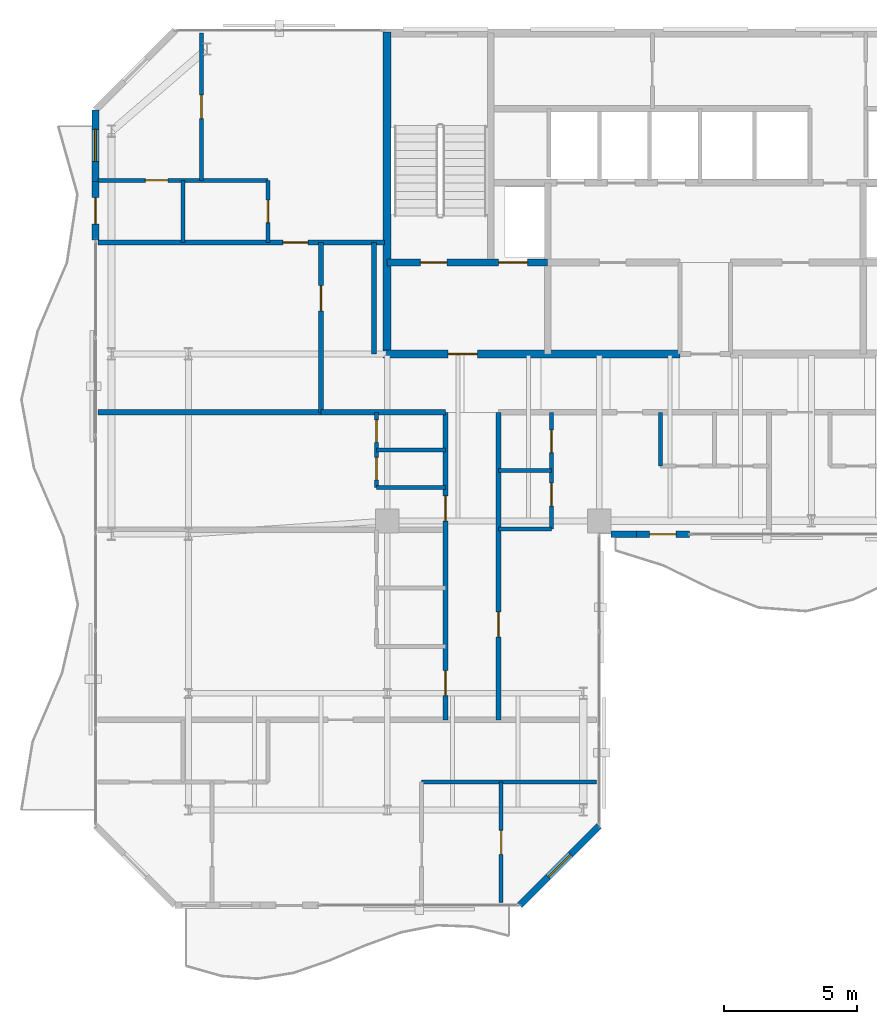
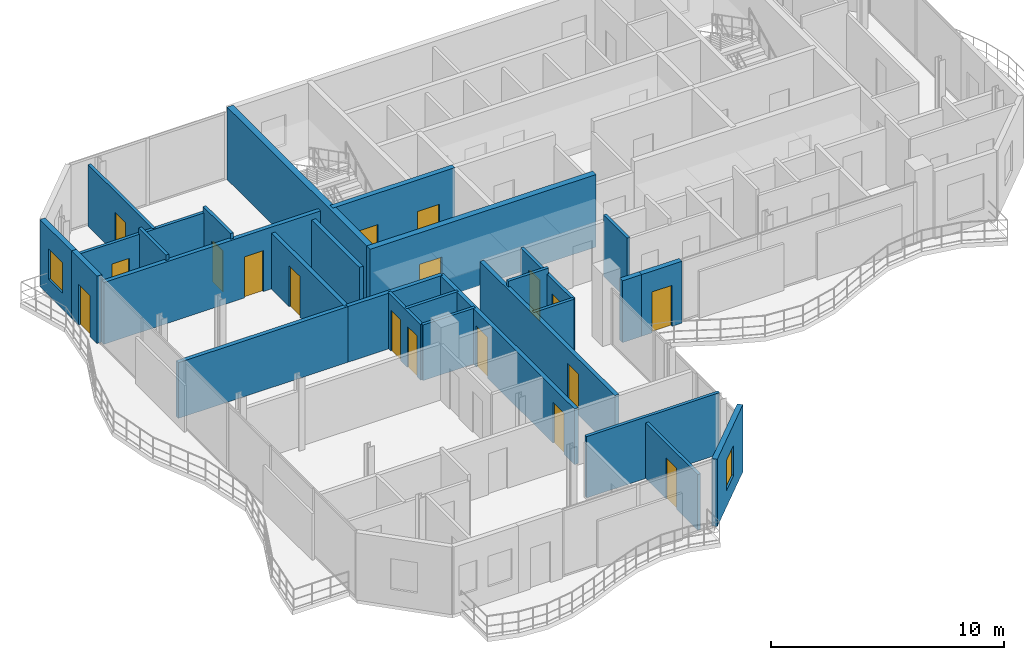
# One storey, part 18 of 22: 28 walls, 18 doors, 2 windows, 20 openings.
"""IFC4 building model written with IfcOpenShell, lengths in metres."""

from ifc_helpers import new_model, si_unit, direction, frame, frame_2d, origin, place, context, subcontext, project, spatial, rectangle, extrude, material, layer, layer_set, type_object, element, fill, save


model = new_model("IFC4")

# Units and contexts
model_context = context("Model", 3, precision=1e-05, world=origin(), true_north=direction((0.0, 1.0)))
body_context = subcontext(model_context, "Body", "Model", "MODEL_VIEW")
ifc_project = project(units=[si_unit("LENGTHUNIT", "METRE"), si_unit("AREAUNIT", "SQUARE_METRE"), si_unit("VOLUMEUNIT", "CUBIC_METRE"), si_unit("PLANEANGLEUNIT", "RADIAN"), si_unit("MASSUNIT", "GRAM", prefix="KILO")], contexts=[model_context])

# Site, building, storey
site_placement = place(None, origin())
site = spatial("IfcSite", under=ifc_project, at=site_placement, CompositionType="ELEMENT")
building_placement = place(site_placement, origin())
building = spatial("IfcBuilding", under=site, at=building_placement, Name="Catumbela Crestline Tower", CompositionType="ELEMENT")
storey_placement = place(building_placement, frame((0.0, 0.0, 229.8)))
storey = spatial("IfcBuildingStorey", under=building, at=storey_placement, Name="L59", CompositionType="ELEMENT", Elevation=229.8)

# Wall, openings, doors
ifc_material_1 = material(Name="Concrete C50/60", Category="concrete")
ifc_layer_1 = layer(ifc_material_1, 0.25, Name="Concrete C50/60")
ifc_layer_set_1 = layer_set([ifc_layer_1], Name="Concrete C50/60")
wall_type_1 = type_object("IfcWallType", Name="CW-250D", PredefinedType="SHEAR", material=ifc_layer_set_1)
wall_1_placement = place(storey_placement, frame((16.0, 34.25, 0.0), z_axis=(0.0, 0.0, 1.0), x_axis=(1.0, 0.0, 0.0)))
wall_1 = element("IfcWall", 1, at=wall_1_placement, inside=storey, type_object=wall_type_1, Name="L59 Structural Core Shear Wall ST1S", PredefinedType="SHEAR", context=body_context, shape_type="SweptSolid", body=[
    extrude(rectangle(XDim=6.05, YDim=0.25, at=frame_2d((3.025, 0.0))), origin(), (0.0, 0.0, 1.0), 3.8),
])
opening_1_placement = place(wall_1_placement, frame((1.25, 0.0, 0.0)))
opening_1 = element("IfcOpeningElement", 2, at=opening_1_placement, cuts=wall_1, Name="Opening DF9-100", PredefinedType="OPENING", context=body_context, shape_type="SweptSolid", body=[
    extrude(rectangle(XDim=1.0, YDim=2.15, at=frame_2d((0.5, 1.075))), frame((0.0, 0.135, 0.0), z_axis=(0.0, -1.0, 0.0), x_axis=(1.0, 0.0, 0.0)), (0.0, 0.0, 1.0), 0.27),
])
opening_2_placement = place(wall_1_placement, frame((4.2, 0.0, 0.0)))
opening_2 = element("IfcOpeningElement", 3, at=opening_2_placement, cuts=wall_1, Name="Opening LD-110", PredefinedType="OPENING", context=body_context, shape_type="SweptSolid", body=[
    extrude(rectangle(XDim=1.1, YDim=2.15, at=frame_2d((0.55, 1.075))), frame((0.0, 0.135, 0.0), z_axis=(0.0, -1.0, 0.0), x_axis=(1.0, 0.0, 0.0)), (0.0, 0.0, 1.0), 0.27),
])
ifc_material_2 = material(Name="Stainless steel EN 1.4401", Category="steel")
door_type_1 = type_object("IfcDoorType", Name="DF9-100", OperationType="NOTDEFINED", PredefinedType="DOOR", material=ifc_material_2)
door_1_placement = place(opening_1_placement, origin())
door_1 = element("IfcDoor", 4, at=door_1_placement, inside=storey, type_object=door_type_1, Name="L59 Interior Door DR-L59-ST01", OperationType="SINGLE_SWING_LEFT", OverallHeight=2.15, OverallWidth=1.0, PredefinedType="DOOR", context=body_context, shape_type="SweptSolid", body=[
    extrude(rectangle(XDim=1.0, YDim=2.15, at=frame_2d((0.5, 1.075))), frame((0.0, 0.025, 0.0), z_axis=(0.0, -1.0, 0.0), x_axis=(1.0, 0.0, 0.0)), (0.0, 0.0, 1.0), 0.05),
])
fill(opening_1, door_1)
door_type_2 = type_object("IfcDoorType", Name="LD-110", OperationType="NOTDEFINED", PredefinedType="DOOR", material=ifc_material_2)
door_2_placement = place(opening_2_placement, origin())
door_2 = element("IfcDoor", 5, at=door_2_placement, inside=storey, type_object=door_type_2, Name="L59 Lift Landing Sliding Door FL-01", OperationType="DOUBLE_DOOR_SLIDING", OverallHeight=2.15, OverallWidth=1.1, PredefinedType="DOOR", context=body_context, shape_type="SweptSolid", body=[
    extrude(rectangle(XDim=1.1, YDim=2.15, at=frame_2d((0.55, 1.075))), frame((0.0, 0.025, 0.0), z_axis=(0.0, -1.0, 0.0), x_axis=(1.0, 0.0, 0.0)), (0.0, 0.0, 1.0), 0.05),
])
fill(opening_2, door_2)

# Wall
ifc_material_3 = material(Name="Concrete C45/55", Category="concrete")
ifc_layer_2 = layer(ifc_material_3, 0.3, Name="Concrete C45/55")
ifc_layer_set_2 = layer_set([ifc_layer_2], Name="Concrete C45/55")
wall_type_2 = type_object("IfcWallType", Name="CW-300C", PredefinedType="SHEAR", material=ifc_layer_set_2)
wall_2_placement = place(storey_placement, frame((16.0, 30.65, 0.0), z_axis=(0.0, 0.0, 1.0), x_axis=(0.0, 1.0, 0.0)))
element("IfcWall", 6, at=wall_2_placement, inside=storey, type_object=wall_type_2, Name="L59 Structural Core Shear Wall W", PredefinedType="SHEAR", context=body_context, shape_type="SweptSolid", body=[
    extrude(rectangle(XDim=12.3, YDim=0.3, at=frame_2d((6.15, 0.0))), origin(), (0.0, 0.0, 1.0), 3.8),
])

# Wall, opening, door
wall_3_placement = place(storey_placement, frame((15.85, 30.8, 0.0), z_axis=(0.0, 0.0, 1.0), x_axis=(1.0, 0.0, 0.0)))
wall_3 = element("IfcWall", 7, at=wall_3_placement, inside=storey, type_object=wall_type_2, Name="L59 Structural Core Shear Wall SW", PredefinedType="SHEAR", context=body_context, shape_type="SweptSolid", body=[
    extrude(rectangle(XDim=11.2, YDim=0.3, at=frame_2d((5.6, 0.0))), origin(), (0.0, 0.0, 1.0), 3.8),
])
opening_3_placement = place(wall_3_placement, frame((2.45, 0.0, 0.0)))
opening_3 = element("IfcOpeningElement", 8, at=opening_3_placement, cuts=wall_3, Name="Opening DF9-110", PredefinedType="OPENING", context=body_context, shape_type="SweptSolid", body=[
    extrude(rectangle(XDim=1.1, YDim=2.15, at=frame_2d((0.55, 1.075))), frame((0.0, 0.16, 0.0), z_axis=(0.0, -1.0, 0.0), x_axis=(1.0, 0.0, 0.0)), (0.0, 0.0, 1.0), 0.32),
])
door_type_3 = type_object("IfcDoorType", Name="DF9-110", OperationType="NOTDEFINED", PredefinedType="DOOR", material=ifc_material_2)
door_3_placement = place(opening_3_placement, origin())
door_3 = element("IfcDoor", 9, at=door_3_placement, inside=storey, type_object=door_type_3, Name="L59 Interior Door DR-L59-FFW-S", OperationType="SINGLE_SWING_LEFT", OverallHeight=2.15, OverallWidth=1.1, PredefinedType="DOOR", context=body_context, shape_type="SweptSolid", body=[
    extrude(rectangle(XDim=1.1, YDim=2.15, at=frame_2d((0.55, 1.075))), frame((0.0, 0.025, 0.0), z_axis=(0.0, -1.0, 0.0), x_axis=(1.0, 0.0, 0.0)), (0.0, 0.0, 1.0), 0.05),
])
fill(opening_3, door_3)

# Walls
ifc_material_4 = material(Name="Acoustic gypsum and mineral-wool partition")
ifc_layer_3 = layer(ifc_material_4, 0.2, Name="Acoustic gypsum and mineral-wool partition")
ifc_layer_set_3 = layer_set([ifc_layer_3], Name="Acoustic gypsum and mineral-wool partition")
wall_type_3 = type_object("IfcWallType", Name="WC-200", PredefinedType="PARTITIONING", material=ifc_layer_set_3)
wall_4_placement = place(storey_placement, frame((13.5, 28.6, 0.0), z_axis=(0.0, 0.0, 1.0), x_axis=(1.0, 0.0, 0.0)))
element("IfcWall", 10, at=wall_4_placement, inside=storey, type_object=wall_type_3, Name="L59 Interior Partition PW-L59-RCWL", PredefinedType="PARTITIONING", context=body_context, shape_type="SweptSolid", body=[
    extrude(rectangle(XDim=4.7, YDim=0.2, at=frame_2d((2.35, 0.0))), origin(), (0.0, 0.0, 1.0), 2.92),
])
wall_5_placement = place(storey_placement, frame((15.5, 30.8, 0.0), z_axis=(0.0, 0.0, 1.0), x_axis=(0.0, 1.0, 0.0)))
element("IfcWall", 11, at=wall_5_placement, inside=storey, type_object=wall_type_3, Name="L59 Interior Partition PW-L59-NWFYE", PredefinedType="PARTITIONING", context=body_context, shape_type="SweptSolid", body=[
    extrude(rectangle(XDim=4.2, YDim=0.2, at=frame_2d((2.1, 0.0))), origin(), (0.0, 0.0, 1.0), 2.92),
])

# Wall, opening, door
wall_6_placement = place(storey_placement, frame((13.5, 28.6, 0.0), z_axis=(0.0, 0.0, 1.0), x_axis=(0.0, 1.0, 0.0)))
wall_6 = element("IfcWall", 12, at=wall_6_placement, inside=storey, type_object=wall_type_3, Name="L59 Interior Partition PW-L59-NWAM-ENT", PredefinedType="PARTITIONING", context=body_context, shape_type="SweptSolid", body=[
    extrude(rectangle(XDim=6.4, YDim=0.2, at=frame_2d((3.2, 0.0))), origin(), (0.0, 0.0, 1.0), 2.92),
])
opening_4_placement = place(wall_6_placement, frame((3.825, 0.0, 0.0)))
opening_4 = element("IfcOpeningElement", 13, at=opening_4_placement, cuts=wall_6, Name="Opening DF6-095", PredefinedType="OPENING", context=body_context, shape_type="SweptSolid", body=[
    extrude(rectangle(XDim=0.95, YDim=2.15, at=frame_2d((0.475, 1.075))), frame((0.0, 0.11, 0.0), z_axis=(0.0, -1.0, 0.0), x_axis=(1.0, 0.0, 0.0)), (0.0, 0.0, 1.0), 0.22),
])
ifc_material_5 = material(Name="Aluminium alloy AW-6060-T66", Category="aluminium")
door_type_4 = type_object("IfcDoorType", Name="DF6-095", OperationType="NOTDEFINED", PredefinedType="DOOR", material=ifc_material_5)
door_4_placement = place(opening_4_placement, origin())
door_4 = element("IfcDoor", 14, at=door_4_placement, inside=storey, type_object=door_type_4, Name="L59 Interior Door DR-L59-NWAM-ENT", OperationType="SINGLE_SWING_RIGHT", OverallHeight=2.15, OverallWidth=0.95, PredefinedType="DOOR", context=body_context, shape_type="SweptSolid", body=[
    extrude(rectangle(XDim=0.95, YDim=2.15, at=frame_2d((0.475, 1.075))), frame((0.0, 0.025, 0.0), z_axis=(0.0, -1.0, 0.0), x_axis=(1.0, 0.0, 0.0)), (0.0, 0.0, 1.0), 0.05),
])
fill(opening_4, door_4)

wall_7_placement = place(storey_placement, frame((5.1, 35.0, 0.0), z_axis=(0.0, 0.0, 1.0), x_axis=(1.0, 0.0, 0.0)))
wall_7 = element("IfcWall", 15, at=wall_7_placement, inside=storey, type_object=wall_type_3, Name="L59 Interior Partition PW-L59-NW1-ENT", PredefinedType="PARTITIONING", context=body_context, shape_type="SweptSolid", body=[
    extrude(rectangle(XDim=10.8, YDim=0.2, at=frame_2d((5.4, 0.0))), origin(), (0.0, 0.0, 1.0), 3.24),
])
opening_5_placement = place(wall_7_placement, frame((6.9644, 0.0, 0.0)))
opening_5 = element("IfcOpeningElement", 16, at=opening_5_placement, cuts=wall_7, Name="Opening DF6-095", PredefinedType="OPENING", context=body_context, shape_type="SweptSolid", body=[
    extrude(rectangle(XDim=0.95, YDim=2.15, at=frame_2d((0.475, 1.075))), frame((0.0, 0.11, 0.0), z_axis=(0.0, -1.0, 0.0), x_axis=(1.0, 0.0, 0.0)), (0.0, 0.0, 1.0), 0.22),
])
door_5_placement = place(opening_5_placement, origin())
door_5 = element("IfcDoor", 17, at=door_5_placement, inside=storey, type_object=door_type_4, Name="L59 Interior Door DR-L59-NW1-ENT", OperationType="SINGLE_SWING_LEFT", OverallHeight=2.15, OverallWidth=0.95, PredefinedType="DOOR", context=body_context, shape_type="SweptSolid", body=[
    extrude(rectangle(XDim=0.95, YDim=2.15, at=frame_2d((0.475, 1.075))), frame((0.0, 0.025, 0.0), z_axis=(0.0, -1.0, 0.0), x_axis=(1.0, 0.0, 0.0)), (0.0, 0.0, 1.0), 0.05),
])
fill(opening_5, door_5)

# Wall, openings, doors
wall_8_placement = place(storey_placement, frame((18.2, 17.0, 0.0), z_axis=(0.0, 0.0, 1.0), x_axis=(0.0, 1.0, 0.0)))
wall_8 = element("IfcWall", 18, at=wall_8_placement, inside=storey, type_object=wall_type_3, Name="L59 Interior Partition PW-L59-WL1-ENT", PredefinedType="PARTITIONING", context=body_context, shape_type="SweptSolid", body=[
    extrude(rectangle(XDim=11.6, YDim=0.2, at=frame_2d((5.8, 0.0))), origin(), (0.0, 0.0, 1.0), 2.92),
])
opening_6_placement = place(wall_8_placement, frame((7.493, 0.0, 0.0)))
opening_6 = element("IfcOpeningElement", 19, at=opening_6_placement, cuts=wall_8, Name="Opening DF6-095", PredefinedType="OPENING", context=body_context, shape_type="SweptSolid", body=[
    extrude(rectangle(XDim=0.95, YDim=2.15, at=frame_2d((0.475, 1.075))), frame((0.0, 0.11, 0.0), z_axis=(0.0, -1.0, 0.0), x_axis=(1.0, 0.0, 0.0)), (0.0, 0.0, 1.0), 0.22),
])
opening_7_placement = place(wall_8_placement, frame((0.909, 0.0, 0.0)))
opening_7 = element("IfcOpeningElement", 20, at=opening_7_placement, cuts=wall_8, Name="Opening DF6-095", PredefinedType="OPENING", context=body_context, shape_type="SweptSolid", body=[
    extrude(rectangle(XDim=0.95, YDim=2.15, at=frame_2d((0.475, 1.075))), frame((0.0, 0.11, 0.0), z_axis=(0.0, -1.0, 0.0), x_axis=(1.0, 0.0, 0.0)), (0.0, 0.0, 1.0), 0.22),
])
door_6_placement = place(opening_6_placement, origin())
door_6 = element("IfcDoor", 21, at=door_6_placement, inside=storey, type_object=door_type_4, Name="L59 Interior Door DR-L59-WL1-ENT", OperationType="SINGLE_SWING_RIGHT", OverallHeight=2.15, OverallWidth=0.95, PredefinedType="DOOR", context=body_context, shape_type="SweptSolid", body=[
    extrude(rectangle(XDim=0.95, YDim=2.15, at=frame_2d((0.475, 1.075))), frame((0.0, 0.025, 0.0), z_axis=(0.0, -1.0, 0.0), x_axis=(1.0, 0.0, 0.0)), (0.0, 0.0, 1.0), 0.05),
])
fill(opening_6, door_6)
door_7_placement = place(opening_7_placement, origin())
door_7 = element("IfcDoor", 22, at=door_7_placement, inside=storey, type_object=door_type_4, Name="L59 Interior Door DR-L59-WL2-ENT", OperationType="SINGLE_SWING_RIGHT", OverallHeight=2.15, OverallWidth=0.95, PredefinedType="DOOR", context=body_context, shape_type="SweptSolid", body=[
    extrude(rectangle(XDim=0.95, YDim=2.15, at=frame_2d((0.475, 1.075))), frame((0.0, 0.025, 0.0), z_axis=(0.0, -1.0, 0.0), x_axis=(1.0, 0.0, 0.0)), (0.0, 0.0, 1.0), 0.05),
])
fill(opening_7, door_7)

# Wall, opening, door
wall_9_placement = place(storey_placement, frame((20.2, 17.0, 0.0), z_axis=(0.0, 0.0, 1.0), x_axis=(0.0, 1.0, 0.0)))
wall_9 = element("IfcWall", 23, at=wall_9_placement, inside=storey, type_object=wall_type_3, Name="L59 Interior Partition PW-L59-WR1-ENT", PredefinedType="PARTITIONING", context=body_context, shape_type="SweptSolid", body=[
    extrude(rectangle(XDim=11.6, YDim=0.2, at=frame_2d((5.8, 0.0))), origin(), (0.0, 0.0, 1.0), 2.92),
])
opening_8_placement = place(wall_9_placement, frame((3.125, 0.0, 0.0)))
opening_8 = element("IfcOpeningElement", 24, at=opening_8_placement, cuts=wall_9, Name="Opening DF6-095", PredefinedType="OPENING", context=body_context, shape_type="SweptSolid", body=[
    extrude(rectangle(XDim=0.95, YDim=2.15, at=frame_2d((0.475, 1.075))), frame((0.0, 0.11, 0.0), z_axis=(0.0, -1.0, 0.0), x_axis=(1.0, 0.0, 0.0)), (0.0, 0.0, 1.0), 0.22),
])
door_8_placement = place(opening_8_placement, origin())
door_8 = element("IfcDoor", 25, at=door_8_placement, inside=storey, type_object=door_type_4, Name="L59 Interior Door DR-L59-WR1-ENT", OperationType="SINGLE_SWING_LEFT", OverallHeight=2.15, OverallWidth=0.95, PredefinedType="DOOR", context=body_context, shape_type="SweptSolid", body=[
    extrude(rectangle(XDim=0.95, YDim=2.15, at=frame_2d((0.475, 1.075))), frame((0.0, 0.025, 0.0), z_axis=(0.0, -1.0, 0.0), x_axis=(1.0, 0.0, 0.0)), (0.0, 0.0, 1.0), 0.05),
])
fill(opening_8, door_8)

# Wall, opening, window
ifc_material_6 = material(Name="Angolan grey-ochre granite", Category="masonry")
ifc_layer_4 = layer(ifc_material_6, 0.25, Name="Angolan grey-ochre granite")
ifc_layer_set_4 = layer_set([ifc_layer_4], Name="Angolan grey-ochre granite")
wall_type_4 = type_object("IfcWallType", Name="WE-250", PredefinedType="STANDARD", material=ifc_layer_set_4)
wall_10_placement = place(storey_placement, frame((21.0, 10.0, 0.0), z_axis=(0.0, 0.0, 1.0), x_axis=(0.707106781187, 0.707106781187, 0.0)))
wall_10 = element("IfcWall", 26, at=wall_10_placement, inside=storey, type_object=wall_type_4, Name="L59 Granite Punched Window Wall 1-1", PredefinedType="STANDARD", context=body_context, shape_type="SweptSolid", body=[
    extrude(rectangle(XDim=4.2426, YDim=0.25, at=frame_2d((2.1213, 0.0))), origin(), (0.0, 0.0, 1.0), 3.53),
])
opening_9_placement = place(wall_10_placement, frame((1.5213, 0.0, 0.85)))
opening_9 = element("IfcOpeningElement", 27, at=opening_9_placement, cuts=wall_10, Name="Opening WN-02", PredefinedType="OPENING", context=body_context, shape_type="SweptSolid", body=[
    extrude(rectangle(XDim=1.2, YDim=1.6, at=frame_2d((0.6, 0.8))), frame((0.0, 0.135, 0.0), z_axis=(0.0, -1.0, 0.0), x_axis=(1.0, 0.0, 0.0)), (0.0, 0.0, 1.0), 0.27),
])
ifc_material_7 = material(Name="Low-E laminated solar-control double glazing", Category="glass")
window_type = type_object("IfcWindowType", Name="WO-1200", PartitioningType="SINGLE_PANEL", PredefinedType="WINDOW", material=ifc_material_7)
window_1_placement = place(opening_9_placement, origin())
window_1 = element("IfcWindow", 28, at=window_1_placement, inside=storey, type_object=window_type, Name="L59 Facade Vision Window 420", OverallHeight=1.6, OverallWidth=1.2, PartitioningType="SINGLE_PANEL", PredefinedType="WINDOW", context=body_context, shape_type="SweptSolid", body=[
    extrude(rectangle(XDim=1.2, YDim=1.6, at=frame_2d((0.6, 0.8))), frame((0.0, 0.03, 0.0), z_axis=(0.0, -1.0, 0.0), x_axis=(1.0, 0.0, 0.0)), (0.0, 0.0, 1.0), 0.06),
])
fill(opening_9, window_1)

# Wall, opening, door
wall_11_placement = place(storey_placement, frame((25.4, 24.0, 0.0), z_axis=(0.0, 0.0, 1.0), x_axis=(1.0, 0.0, 0.0)))
wall_11 = element("IfcWall", 29, at=wall_11_placement, inside=storey, type_object=wall_type_4, Name="L59 Exterior Threshold Portal Wall DR-L59-WBAL-1", PredefinedType="STANDARD", context=body_context, shape_type="SweptSolid", body=[
    extrude(rectangle(XDim=2.0, YDim=0.25, at=frame_2d((1.0, 0.0))), origin(), (0.0, 0.0, 1.0), 3.24),
])
opening_10_placement = place(wall_11_placement, frame((0.5, 0.0, 0.0)))
opening_10 = element("IfcOpeningElement", 30, at=opening_10_placement, cuts=wall_11, Name="Opening DB-L59-1", PredefinedType="OPENING", context=body_context, shape_type="SweptSolid", body=[
    extrude(rectangle(XDim=1.0, YDim=2.15, at=frame_2d((0.5, 1.075))), frame((0.0, 0.135, 0.0), z_axis=(0.0, -1.0, 0.0), x_axis=(1.0, 0.0, 0.0)), (0.0, 0.0, 1.0), 0.27),
])
door_type_5 = type_object("IfcDoorType", Name="DB-1000", OperationType="NOTDEFINED", PredefinedType="DOOR", material=ifc_material_5)
door_9_placement = place(opening_10_placement, origin())
door_9 = element("IfcDoor", 31, at=door_9_placement, inside=storey, type_object=door_type_5, Name="L59 Wave Balcony Terrace Door 1", OperationType="SINGLE_SWING_LEFT", OverallHeight=2.15, OverallWidth=1.0, PredefinedType="DOOR", context=body_context, shape_type="SweptSolid", body=[
    extrude(rectangle(XDim=1.0, YDim=2.15, at=frame_2d((0.5, 1.075))), frame((0.0, 0.025, 0.0), z_axis=(0.0, -1.0, 0.0), x_axis=(1.0, 0.0, 0.0)), (0.0, 0.0, 1.0), 0.05),
])
fill(opening_10, door_9)

# Wall
wall_12_placement = place(storey_placement, frame((24.45, 24.0, 0.0), z_axis=(0.0, 0.0, 1.0), x_axis=(1.0, 0.0, 0.0)))
element("IfcWall", 32, at=wall_12_placement, inside=storey, type_object=wall_type_4, Name="L59 Granite Punched Window Wall 3-1", PredefinedType="STANDARD", context=body_context, shape_type="SweptSolid", body=[
    extrude(rectangle(XDim=0.95, YDim=0.25, at=frame_2d((0.475, 0.0))), origin(), (0.0, 0.0, 1.0), 3.24),
])

# Wall, opening, door
wall_13_placement = place(storey_placement, frame((5.0, 37.3, 0.0), z_axis=(0.0, 0.0, 1.0), x_axis=(0.0, -1.0, 0.0)))
wall_13 = element("IfcWall", 33, at=wall_13_placement, inside=storey, type_object=wall_type_4, Name="L59 Exterior Threshold Portal Wall DR-L59-WBAL-4", PredefinedType="STANDARD", context=body_context, shape_type="SweptSolid", body=[
    extrude(rectangle(XDim=2.2, YDim=0.25, at=frame_2d((1.1, 0.0))), origin(), (0.0, 0.0, 1.0), 3.53),
])
opening_11_placement = place(wall_13_placement, frame((0.6, 0.0, 0.0)))
opening_11 = element("IfcOpeningElement", 34, at=opening_11_placement, cuts=wall_13, Name="Opening DB-L59-4", PredefinedType="OPENING", context=body_context, shape_type="SweptSolid", body=[
    extrude(rectangle(XDim=1.0, YDim=2.15, at=frame_2d((0.5, 1.075))), frame((0.0, 0.135, 0.0), z_axis=(0.0, -1.0, 0.0), x_axis=(1.0, 0.0, 0.0)), (0.0, 0.0, 1.0), 0.27),
])
door_10_placement = place(opening_11_placement, origin())
door_10 = element("IfcDoor", 35, at=door_10_placement, inside=storey, type_object=door_type_5, Name="L59 Wave Balcony Terrace Door 4", OperationType="SINGLE_SWING_RIGHT", OverallHeight=2.15, OverallWidth=1.0, PredefinedType="DOOR", context=body_context, shape_type="SweptSolid", body=[
    extrude(rectangle(XDim=1.0, YDim=2.15, at=frame_2d((0.5, 1.075))), frame((0.0, 0.025, 0.0), z_axis=(0.0, -1.0, 0.0), x_axis=(1.0, 0.0, 0.0)), (0.0, 0.0, 1.0), 0.05),
])
fill(opening_11, door_10)

# Wall, opening, window
wall_14_placement = place(storey_placement, frame((5.0, 40.0, 0.0), z_axis=(0.0, 0.0, 1.0), x_axis=(0.0, -1.0, 0.0)))
wall_14 = element("IfcWall", 36, at=wall_14_placement, inside=storey, type_object=wall_type_4, Name="L59 Granite Punched Window Wall 9-1", PredefinedType="STANDARD", context=body_context, shape_type="SweptSolid", body=[
    extrude(rectangle(XDim=2.7, YDim=0.25, at=frame_2d((1.35, 0.0))), origin(), (0.0, 0.0, 1.0), 3.53),
])
opening_12_placement = place(wall_14_placement, frame((0.735, 0.0, 0.85)))
opening_12 = element("IfcOpeningElement", 37, at=opening_12_placement, cuts=wall_14, Name="Opening WN-02", PredefinedType="OPENING", context=body_context, shape_type="SweptSolid", body=[
    extrude(rectangle(XDim=1.2, YDim=1.6, at=frame_2d((0.6, 0.8))), frame((0.0, 0.135, 0.0), z_axis=(0.0, -1.0, 0.0), x_axis=(1.0, 0.0, 0.0)), (0.0, 0.0, 1.0), 0.27),
])
window_2_placement = place(opening_12_placement, origin())
window_2 = element("IfcWindow", 38, at=window_2_placement, inside=storey, type_object=window_type, Name="L59 Facade Vision Window 427", OverallHeight=1.6, OverallWidth=1.2, PartitioningType="SINGLE_PANEL", PredefinedType="WINDOW", context=body_context, shape_type="SweptSolid", body=[
    extrude(rectangle(XDim=1.2, YDim=1.6, at=frame_2d((0.6, 0.8))), frame((0.0, 0.03, 0.0), z_axis=(0.0, -1.0, 0.0), x_axis=(1.0, 0.0, 0.0)), (0.0, 0.0, 1.0), 0.06),
])
fill(opening_12, window_2)

# Wall, opening, door
ifc_layer_5 = layer(ifc_material_4, 0.15, Name="Acoustic gypsum and mineral-wool partition")
ifc_layer_set_5 = layer_set([ifc_layer_5], Name="Acoustic gypsum and mineral-wool partition")
wall_type_5 = type_object("IfcWallType", Name="WP-150", PredefinedType="PARTITIONING", material=ifc_layer_set_5)
wall_15_placement = place(storey_placement, frame((11.5, 35.0, 0.0), z_axis=(0.0, 0.0, 1.0), x_axis=(0.0, 1.0, 0.0)))
wall_15 = element("IfcWall", 39, at=wall_15_placement, inside=storey, type_object=wall_type_5, Name="L59 Interior Partition PW-L59-NW1-KBE", PredefinedType="PARTITIONING", context=body_context, shape_type="SweptSolid", body=[
    extrude(rectangle(XDim=2.35, YDim=0.15, at=frame_2d((1.175, 0.0))), origin(), (0.0, 0.0, 1.0), 3.53),
])
opening_13_placement = place(wall_15_placement, frame((0.75, 0.0, 0.0)))
opening_13 = element("IfcOpeningElement", 40, at=opening_13_placement, cuts=wall_15, Name="Opening DI-085", PredefinedType="OPENING", context=body_context, shape_type="SweptSolid", body=[
    extrude(rectangle(XDim=0.85, YDim=2.15, at=frame_2d((0.425, 1.075))), frame((0.0, 0.085, 0.0), z_axis=(0.0, -1.0, 0.0), x_axis=(1.0, 0.0, 0.0)), (0.0, 0.0, 1.0), 0.17),
])
door_type_6 = type_object("IfcDoorType", Name="DI-085", OperationType="NOTDEFINED", PredefinedType="DOOR", material=ifc_material_5)
door_11_placement = place(opening_13_placement, origin())
door_11 = element("IfcDoor", 41, at=door_11_placement, inside=storey, type_object=door_type_6, Name="L59 Interior Door DR-L59-NW1-BTH", OperationType="SINGLE_SWING_LEFT", OverallHeight=2.15, OverallWidth=0.85, PredefinedType="DOOR", context=body_context, shape_type="SweptSolid", body=[
    extrude(rectangle(XDim=0.85, YDim=2.15, at=frame_2d((0.425, 1.075))), frame((0.0, 0.025, 0.0), z_axis=(0.0, -1.0, 0.0), x_axis=(1.0, 0.0, 0.0)), (0.0, 0.0, 1.0), 0.05),
])
fill(opening_13, door_11)

# Wall
wall_16_placement = place(storey_placement, frame((8.3, 35.0, 0.0), z_axis=(0.0, 0.0, 1.0), x_axis=(0.0, 1.0, 0.0)))
element("IfcWall", 42, at=wall_16_placement, inside=storey, type_object=wall_type_5, Name="L59 Interior Partition PW-L59-NW1-KBM", PredefinedType="PARTITIONING", context=body_context, shape_type="SweptSolid", body=[
    extrude(rectangle(XDim=2.35, YDim=0.15, at=frame_2d((1.175, 0.0))), origin(), (0.0, 0.0, 1.0), 3.53),
])

# Wall, opening, door
wall_17_placement = place(storey_placement, frame((5.1, 37.35, 0.0), z_axis=(0.0, 0.0, 1.0), x_axis=(1.0, 0.0, 0.0)))
wall_17 = element("IfcWall", 43, at=wall_17_placement, inside=storey, type_object=wall_type_5, Name="L59 Interior Partition PW-L59-NW1-KBD1", PredefinedType="PARTITIONING", context=body_context, shape_type="SweptSolid", body=[
    extrude(rectangle(XDim=6.4, YDim=0.15, at=frame_2d((3.2, 0.0))), origin(), (0.0, 0.0, 1.0), 3.24),
])
opening_14_placement = place(wall_17_placement, frame((1.7795, 0.0, 0.0)))
opening_14 = element("IfcOpeningElement", 44, at=opening_14_placement, cuts=wall_17, Name="Opening DI-085", PredefinedType="OPENING", context=body_context, shape_type="SweptSolid", body=[
    extrude(rectangle(XDim=0.85, YDim=2.15, at=frame_2d((0.425, 1.075))), frame((0.0, 0.085, 0.0), z_axis=(0.0, -1.0, 0.0), x_axis=(1.0, 0.0, 0.0)), (0.0, 0.0, 1.0), 0.17),
])
door_12_placement = place(opening_14_placement, origin())
door_12 = element("IfcDoor", 45, at=door_12_placement, inside=storey, type_object=door_type_6, Name="L59 Interior Door DR-L59-NW1-KIT", OperationType="SINGLE_SWING_LEFT", OverallHeight=2.15, OverallWidth=0.85, PredefinedType="DOOR", context=body_context, shape_type="SweptSolid", body=[
    extrude(rectangle(XDim=0.85, YDim=2.15, at=frame_2d((0.425, 1.075))), frame((0.0, 0.025, 0.0), z_axis=(0.0, -1.0, 0.0), x_axis=(1.0, 0.0, 0.0)), (0.0, 0.0, 1.0), 0.05),
])
fill(opening_14, door_12)

wall_18_placement = place(storey_placement, frame((9.0, 37.35, 0.0), z_axis=(0.0, 0.0, 1.0), x_axis=(0.0, 1.0, 0.0)))
wall_18 = element("IfcWall", 46, at=wall_18_placement, inside=storey, type_object=wall_type_5, Name="L59 Interior Partition PW-L59-NW1-BD1W", PredefinedType="PARTITIONING", context=body_context, shape_type="SweptSolid", body=[
    extrude(rectangle(XDim=5.55, YDim=0.15, at=frame_2d((2.775, 0.0))), origin(), (0.0, 0.0, 1.0), 3.24),
])
opening_15_placement = place(wall_18_placement, frame((2.325, 0.0, 0.0)))
opening_15 = element("IfcOpeningElement", 47, at=opening_15_placement, cuts=wall_18, Name="Opening DI-090", PredefinedType="OPENING", context=body_context, shape_type="SweptSolid", body=[
    extrude(rectangle(XDim=0.9, YDim=2.15, at=frame_2d((0.45, 1.075))), frame((0.0, 0.085, 0.0), z_axis=(0.0, -1.0, 0.0), x_axis=(1.0, 0.0, 0.0)), (0.0, 0.0, 1.0), 0.17),
])
door_type_7 = type_object("IfcDoorType", Name="DI-090", OperationType="NOTDEFINED", PredefinedType="DOOR", material=ifc_material_5)
door_13_placement = place(opening_15_placement, origin())
door_13 = element("IfcDoor", 48, at=door_13_placement, inside=storey, type_object=door_type_7, Name="L59 Interior Door DR-L59-NW1-BD1", OperationType="SINGLE_SWING_LEFT", OverallHeight=2.15, OverallWidth=0.9, PredefinedType="DOOR", context=body_context, shape_type="SweptSolid", body=[
    extrude(rectangle(XDim=0.9, YDim=2.15, at=frame_2d((0.45, 1.075))), frame((0.0, 0.025, 0.0), z_axis=(0.0, -1.0, 0.0), x_axis=(1.0, 0.0, 0.0)), (0.0, 0.0, 1.0), 0.05),
])
fill(opening_15, door_13)

# Walls
wall_19_placement = place(storey_placement, frame((26.3, 26.576, 0.0), z_axis=(0.0, 0.0, 1.0), x_axis=(0.0, 1.0, 0.0)))
element("IfcWall", 49, at=wall_19_placement, inside=storey, type_object=wall_type_5, Name="L59 Interior Partition PW-L59-S1-KBW", PredefinedType="PARTITIONING", context=body_context, shape_type="SweptSolid", body=[
    extrude(rectangle(XDim=2.024, YDim=0.15, at=frame_2d((1.012, 0.0))), origin(), (0.0, 0.0, 1.0), 3.22),
])
for number, where, z_axis, x_axis, name in (
    (50, (15.6, 25.768, 0.0), (0.0, 0.0, 1.0), (1.0, 0.0, 0.0), "L59 Interior Partition PW-L59-WL1-KBS"),
    (51, (15.6, 27.184, 0.0), (0.0, 0.0, 1.0), (1.0, 0.0, 0.0), "L59 Interior Partition PW-L59-WL1-KBM"),
):
    element("IfcWall", number, at=place(storey_placement, frame(where, z_axis=z_axis, x_axis=x_axis)), inside=storey, type_object=wall_type_5, Name=name, PredefinedType="PARTITIONING", context=body_context, shape_type="SweptSolid", body=[
        extrude(rectangle(XDim=2.6, YDim=0.15, at=frame_2d((1.3, 0.0))), origin(), (0.0, 0.0, 1.0), 2.92),
    ])

# Wall, openings, doors
wall_20_placement = place(storey_placement, frame((15.6, 25.768, 0.0), z_axis=(0.0, 0.0, 1.0), x_axis=(0.0, 1.0, 0.0)))
wall_20 = element("IfcWall", 52, at=wall_20_placement, inside=storey, type_object=wall_type_5, Name="L59 Interior Partition PW-L59-WL1-SK1", PredefinedType="PARTITIONING", context=body_context, shape_type="SweptSolid", body=[
    extrude(rectangle(XDim=2.832, YDim=0.15, at=frame_2d((1.416, 0.0))), origin(), (0.0, 0.0, 1.0), 2.92),
])
opening_16_placement = place(wall_20_placement, frame((0.283, 0.0, 0.0)))
opening_16 = element("IfcOpeningElement", 53, at=opening_16_placement, cuts=wall_20, Name="Opening DI-085", PredefinedType="OPENING", context=body_context, shape_type="SweptSolid", body=[
    extrude(rectangle(XDim=0.85, YDim=2.15, at=frame_2d((0.425, 1.075))), frame((0.0, 0.085, 0.0), z_axis=(0.0, -1.0, 0.0), x_axis=(1.0, 0.0, 0.0)), (0.0, 0.0, 1.0), 0.17),
])
opening_17_placement = place(wall_20_placement, frame((1.699, 0.0, 0.0)))
opening_17 = element("IfcOpeningElement", 54, at=opening_17_placement, cuts=wall_20, Name="Opening DI-085", PredefinedType="OPENING", context=body_context, shape_type="SweptSolid", body=[
    extrude(rectangle(XDim=0.85, YDim=2.15, at=frame_2d((0.425, 1.075))), frame((0.0, 0.085, 0.0), z_axis=(0.0, -1.0, 0.0), x_axis=(1.0, 0.0, 0.0)), (0.0, 0.0, 1.0), 0.17),
])
door_14_placement = place(opening_16_placement, origin())
door_14 = element("IfcDoor", 55, at=door_14_placement, inside=storey, type_object=door_type_6, Name="L59 Interior Door DR-L59-WL1-KIT", OperationType="SINGLE_SWING_LEFT", OverallHeight=2.15, OverallWidth=0.85, PredefinedType="DOOR", context=body_context, shape_type="SweptSolid", body=[
    extrude(rectangle(XDim=0.85, YDim=2.15, at=frame_2d((0.425, 1.075))), frame((0.0, 0.025, 0.0), z_axis=(0.0, -1.0, 0.0), x_axis=(1.0, 0.0, 0.0)), (0.0, 0.0, 1.0), 0.05),
])
fill(opening_16, door_14)
door_15_placement = place(opening_17_placement, origin())
door_15 = element("IfcDoor", 56, at=door_15_placement, inside=storey, type_object=door_type_6, Name="L59 Interior Door DR-L59-WL1-BTH", OperationType="SINGLE_SWING_RIGHT", OverallHeight=2.15, OverallWidth=0.85, PredefinedType="DOOR", context=body_context, shape_type="SweptSolid", body=[
    extrude(rectangle(XDim=0.85, YDim=2.15, at=frame_2d((0.425, 1.075))), frame((0.0, 0.025, 0.0), z_axis=(0.0, -1.0, 0.0), x_axis=(1.0, 0.0, 0.0)), (0.0, 0.0, 1.0), 0.05),
])
fill(opening_17, door_15)

# Walls
wall_21_placement = place(storey_placement, frame((20.2, 24.2, 0.0), z_axis=(0.0, 0.0, 1.0), x_axis=(1.0, 0.0, 0.0)))
element("IfcWall", 57, at=wall_21_placement, inside=storey, type_object=wall_type_5, Name="L59 Interior Partition PW-L59-WR1-KBS", PredefinedType="PARTITIONING", context=body_context, shape_type="SweptSolid", body=[
    extrude(rectangle(XDim=2.0, YDim=0.15, at=frame_2d((1.0, 0.0))), origin(), (0.0, 0.0, 1.0), 2.92),
])
wall_22_placement = place(storey_placement, frame((20.2, 26.4, 0.0), z_axis=(0.0, 0.0, 1.0), x_axis=(1.0, 0.0, 0.0)))
element("IfcWall", 58, at=wall_22_placement, inside=storey, type_object=wall_type_5, Name="L59 Interior Partition PW-L59-WR1-KBM", PredefinedType="PARTITIONING", context=body_context, shape_type="SweptSolid", body=[
    extrude(rectangle(XDim=2.0, YDim=0.15, at=frame_2d((1.0, 0.0))), origin(), (0.0, 0.0, 1.0), 3.22),
])

# Wall, openings, doors
wall_23_placement = place(storey_placement, frame((22.2, 24.2, 0.0), z_axis=(0.0, 0.0, 1.0), x_axis=(0.0, 1.0, 0.0)))
wall_23 = element("IfcWall", 59, at=wall_23_placement, inside=storey, type_object=wall_type_5, Name="L59 Interior Partition PW-L59-WR1-SK1", PredefinedType="PARTITIONING", context=body_context, shape_type="SweptSolid", body=[
    extrude(rectangle(XDim=4.4, YDim=0.15, at=frame_2d((2.2, 0.0))), origin(), (0.0, 0.0, 1.0), 2.92),
])
opening_18_placement = place(wall_23_placement, frame((0.8733, 0.0, 0.0)))
opening_18 = element("IfcOpeningElement", 60, at=opening_18_placement, cuts=wall_23, Name="Opening DI-085", PredefinedType="OPENING", context=body_context, shape_type="SweptSolid", body=[
    extrude(rectangle(XDim=0.85, YDim=2.15, at=frame_2d((0.425, 1.075))), frame((0.0, 0.085, 0.0), z_axis=(0.0, -1.0, 0.0), x_axis=(1.0, 0.0, 0.0)), (0.0, 0.0, 1.0), 0.17),
])
opening_19_placement = place(wall_23_placement, frame((2.875, 0.0, 0.0)))
opening_19 = element("IfcOpeningElement", 61, at=opening_19_placement, cuts=wall_23, Name="Opening DI-085", PredefinedType="OPENING", context=body_context, shape_type="SweptSolid", body=[
    extrude(rectangle(XDim=0.85, YDim=2.15, at=frame_2d((0.425, 1.075))), frame((0.0, 0.085, 0.0), z_axis=(0.0, -1.0, 0.0), x_axis=(1.0, 0.0, 0.0)), (0.0, 0.0, 1.0), 0.17),
])
door_16_placement = place(opening_18_placement, origin())
door_16 = element("IfcDoor", 62, at=door_16_placement, inside=storey, type_object=door_type_6, Name="L59 Interior Door DR-L59-WR1-KIT", OperationType="SINGLE_SWING_LEFT", OverallHeight=2.15, OverallWidth=0.85, PredefinedType="DOOR", context=body_context, shape_type="SweptSolid", body=[
    extrude(rectangle(XDim=0.85, YDim=2.15, at=frame_2d((0.425, 1.075))), frame((0.0, 0.025, 0.0), z_axis=(0.0, -1.0, 0.0), x_axis=(1.0, 0.0, 0.0)), (0.0, 0.0, 1.0), 0.05),
])
fill(opening_18, door_16)
door_17_placement = place(opening_19_placement, origin())
door_17 = element("IfcDoor", 63, at=door_17_placement, inside=storey, type_object=door_type_6, Name="L59 Interior Door DR-L59-WR1-BTH", OperationType="SINGLE_SWING_RIGHT", OverallHeight=2.15, OverallWidth=0.85, PredefinedType="DOOR", context=body_context, shape_type="SweptSolid", body=[
    extrude(rectangle(XDim=0.85, YDim=2.15, at=frame_2d((0.425, 1.075))), frame((0.0, 0.025, 0.0), z_axis=(0.0, -1.0, 0.0), x_axis=(1.0, 0.0, 0.0)), (0.0, 0.0, 1.0), 0.05),
])
fill(opening_19, door_17)

# Wall
wall_24_placement = place(storey_placement, frame((17.3, 14.65, 0.0), z_axis=(0.0, 0.0, 1.0), x_axis=(1.0, 0.0, 0.0)))
element("IfcWall", 64, at=wall_24_placement, inside=storey, type_object=wall_type_5, Name="L59 Interior Partition PW-L59-SH1-BDRH", PredefinedType="PARTITIONING", context=body_context, shape_type="SweptSolid", body=[
    extrude(rectangle(XDim=6.6, YDim=0.15, at=frame_2d((3.3, 0.0))), origin(), (0.0, 0.0, 1.0), 3.22),
])

# Wall, opening, door
wall_25_placement = place(storey_placement, frame((20.3, 10.1, 0.0), z_axis=(0.0, 0.0, 1.0), x_axis=(0.0, 1.0, 0.0)))
wall_25 = element("IfcWall", 65, at=wall_25_placement, inside=storey, type_object=wall_type_5, Name="L59 Interior Partition PW-L59-SH1-BDR", PredefinedType="PARTITIONING", context=body_context, shape_type="SweptSolid", body=[
    extrude(rectangle(XDim=4.55, YDim=0.15, at=frame_2d((2.275, 0.0))), origin(), (0.0, 0.0, 1.0), 2.92),
])
opening_20_placement = place(wall_25_placement, frame((1.825, 0.0, 0.0)))
opening_20 = element("IfcOpeningElement", 66, at=opening_20_placement, cuts=wall_25, Name="Opening DI-090", PredefinedType="OPENING", context=body_context, shape_type="SweptSolid", body=[
    extrude(rectangle(XDim=0.9, YDim=2.15, at=frame_2d((0.45, 1.075))), frame((0.0, 0.085, 0.0), z_axis=(0.0, -1.0, 0.0), x_axis=(1.0, 0.0, 0.0)), (0.0, 0.0, 1.0), 0.17),
])
door_18_placement = place(opening_20_placement, origin())
door_18 = element("IfcDoor", 67, at=door_18_placement, inside=storey, type_object=door_type_7, Name="L59 Interior Door DR-L59-SH1-BD2", OperationType="SINGLE_SWING_RIGHT", OverallHeight=2.15, OverallWidth=0.9, PredefinedType="DOOR", context=body_context, shape_type="SweptSolid", body=[
    extrude(rectangle(XDim=0.9, YDim=2.15, at=frame_2d((0.45, 1.075))), frame((0.0, 0.025, 0.0), z_axis=(0.0, -1.0, 0.0), x_axis=(1.0, 0.0, 0.0)), (0.0, 0.0, 1.0), 0.05),
])
fill(opening_20, door_18)

# Wall
ifc_layer_6 = layer(ifc_material_4, 0.2, Name="Acoustic gypsum and mineral-wool partition")
ifc_layer_set_6 = layer_set([ifc_layer_6], Name="Acoustic gypsum and mineral-wool partition")
wall_type_6 = type_object("IfcWallType", Name="WY-200", PredefinedType="PARTITIONING", material=ifc_layer_set_6)
wall_26_placement = place(storey_placement, frame((5.1, 28.6, 0.0), z_axis=(0.0, 0.0, 1.0), x_axis=(1.0, 0.0, 0.0)))
element("IfcWall", 68, at=wall_26_placement, inside=storey, type_object=wall_type_6, Name="L59 Interior Partition PW-L59-RCWNW", PredefinedType="PARTITIONING", context=body_context, shape_type="SweptSolid", body=[
    extrude(rectangle(XDim=8.4, YDim=0.2, at=frame_2d((4.2, 0.0))), origin(), (0.0, 0.0, 1.0), 2.92),
])

save(model, "model.ifc")
